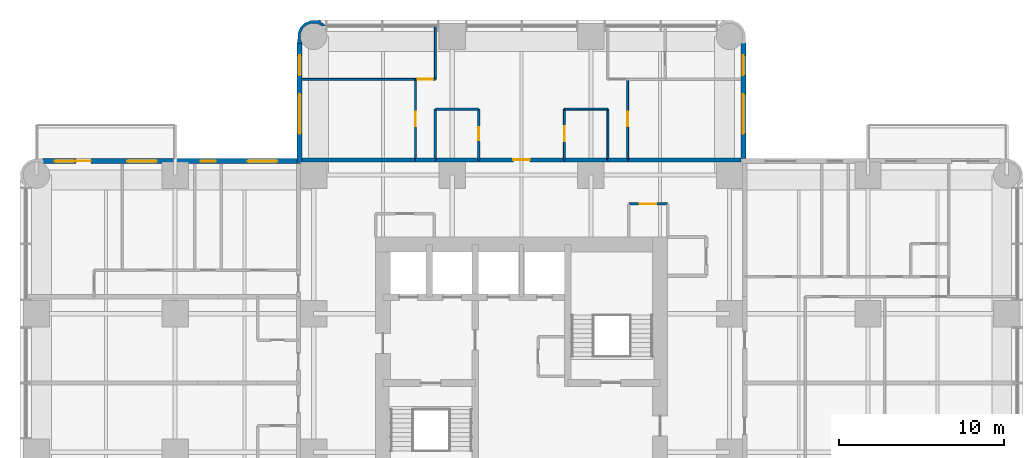
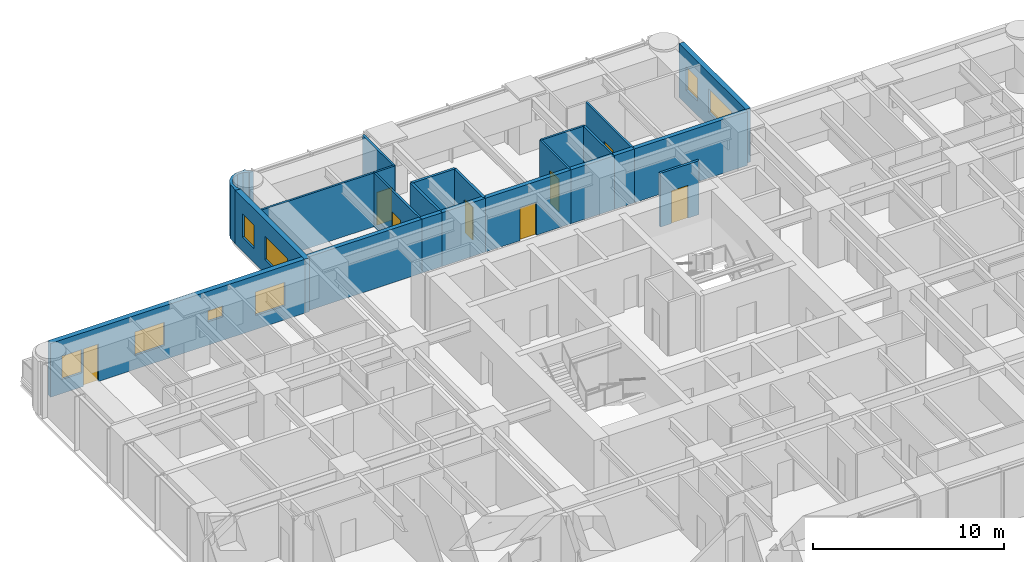
# One storey, part 11 of 14: 23 walls, 8 doors, 8 windows, 16 openings.
"""IFC4 building model written with IfcOpenShell, lengths in metres."""

from ifc_helpers import new_model, si_unit, direction, frame, frame_2d, origin, place, context, subcontext, project, spatial, polyline, rectangle, outline, extrude, material, layer, layer_set, type_object, element, fill, save


model = new_model("IFC4")

# Units and contexts
model_context = context("Model", 3, precision=1e-05, world=origin(), true_north=direction((0.0, 1.0)))
body_context = subcontext(model_context, "Body", "Model", "MODEL_VIEW")
ifc_project = project(units=[si_unit("LENGTHUNIT", "METRE"), si_unit("AREAUNIT", "SQUARE_METRE"), si_unit("VOLUMEUNIT", "CUBIC_METRE"), si_unit("PLANEANGLEUNIT", "RADIAN"), si_unit("MASSUNIT", "GRAM", prefix="KILO")], contexts=[model_context])

# Site, building, storey
site_placement = place(None, origin())
site = spatial("IfcSite", under=ifc_project, at=site_placement, CompositionType="ELEMENT")
building_placement = place(site_placement, origin())
building = spatial("IfcBuilding", under=site, at=building_placement, Name="Torre Alcanfor", CompositionType="ELEMENT")
storey_placement = place(building_placement, frame((0.0, 0.0, 141.300048828125)))
storey = spatial("IfcBuildingStorey", under=building, at=storey_placement, Name="L36", CompositionType="ELEMENT", Elevation=141.300048828125)

# Wall, opening, door
ifc_material_1 = material(Name="Concrete block masonry, hollow blocks NMX-C-404 9 MPa", Category="masonry")
ifc_layer_1 = layer(ifc_material_1, 0.25)
ifc_layer_set_1 = layer_set([ifc_layer_1], Name="Apartment entrance wall 250 EI 60")
wall_type_1 = type_object("IfcWallType", Name="Apartment entrance wall 250 EI 60", PredefinedType="PARTITIONING", material=ifc_layer_set_1)
wall_1_placement = place(storey_placement, frame((26.800048828125, 42.925048828125, 0.0), z_axis=(0.0, 0.0, 1.0), x_axis=(1.0, 0.0, 0.0)))
wall_1 = element("IfcWall", 1, at=wall_1_placement, inside=storey, type_object=wall_type_1, Name="Partition L36-CORR / L36-NX-ZAG", PredefinedType="PARTITIONING", context=body_context, shape_type="SweptSolid", body=[
    extrude(rectangle(XDim=5.199951171875, YDim=0.25, at=frame_2d((2.60009765625, 0.0))), origin(), (0.0, 0.0, 1.0), 3.449951171875),
])
opening_1_placement = place(wall_1_placement, frame((2.10009765625, 0.0, 0.0)))
opening_1 = element("IfcOpeningElement", 2, at=opening_1_placement, cuts=wall_1, Name="Opening D-A1", PredefinedType="OPENING", context=body_context, shape_type="SweptSolid", body=[
    extrude(rectangle(XDim=1.0, YDim=2.10009765625, at=frame_2d((0.5, 1.050048828125))), frame((0.0, 0.135009765625, 0.0), z_axis=(0.0, -1.0, 0.0), x_axis=(1.0, 0.0, 0.0)), (0.0, 0.0, 1.0), 0.27001953125),
])
ifc_material_2 = material(Name="Galvanised steel sheet ASTM A653", Category="steel")
door_type_1 = type_object("IfcDoorType", Name="Apartment entrance door FD60 1000x2100", OperationType="SINGLE_SWING_LEFT", PredefinedType="DOOR", material=ifc_material_2)
door_1_placement = place(opening_1_placement, origin())
door_1 = element("IfcDoor", 3, at=door_1_placement, inside=storey, type_object=door_type_1, Name="Apartment entrance L36-NX", OperationType="SINGLE_SWING_LEFT", OverallHeight=2.10009765625, OverallWidth=1.0, PredefinedType="DOOR", context=body_context, shape_type="SweptSolid", body=[
    extrude(rectangle(XDim=1.0, YDim=2.10009765625, at=frame_2d((0.5, 1.050048828125))), frame((0.0, 0.02490234375, 0.0), z_axis=(0.0, -1.0, 0.0), x_axis=(1.0, 0.0, 0.0)), (0.0, 0.0, 1.0), 0.050048828125),
])
fill(opening_1, door_1)

# Walls
wall_2_placement = place(storey_placement, frame((24.1708984375, 42.925048828125, 0.0), z_axis=(0.0, 0.0, 1.0), x_axis=(1.0, 0.0, 0.0)))
element("IfcWall", 4, at=wall_2_placement, inside=storey, type_object=wall_type_1, Name="Partition L36-CORR / L36-NX-BATH2", PredefinedType="PARTITIONING", context=body_context, shape_type="SweptSolid", body=[
    extrude(rectangle(XDim=2.629150390625, YDim=0.25, at=frame_2d((1.314453125, 0.0))), origin(), (0.0, 0.0, 1.0), 3.449951171875),
])
wall_3_placement = place(storey_placement, frame((32.0, 42.925048828125, 0.0), z_axis=(0.0, 0.0, 1.0), x_axis=(1.0, 0.0, 0.0)))
element("IfcWall", 5, at=wall_3_placement, inside=storey, type_object=wall_type_1, Name="Partition L36-CORR / L36-NX-KITCHEN", PredefinedType="PARTITIONING", context=body_context, shape_type="SweptSolid", body=[
    extrude(rectangle(XDim=2.62890625, YDim=0.25, at=frame_2d((1.314453125, 0.0))), origin(), (0.0, 0.0, 1.0), 3.449951171875),
])
wall_4_placement = place(storey_placement, frame((22.970947265625, 42.925048828125, 0.0), z_axis=(0.0, 0.0, 1.0), x_axis=(1.0, 0.0, 0.0)))
element("IfcWall", 6, at=wall_4_placement, inside=storey, type_object=wall_type_1, Name="Partition L36-CORR / L36-NX-LIVING", PredefinedType="PARTITIONING", context=body_context, shape_type="SweptSolid", body=[
    extrude(rectangle(XDim=1.199951171875, YDim=0.25, at=frame_2d((0.60009765625, 0.0))), origin(), (0.0, 0.0, 1.0), 3.449951171875),
])
wall_5_placement = place(storey_placement, frame((34.62890625, 42.925048828125, 0.0), z_axis=(0.0, 0.0, 1.0), x_axis=(1.0, 0.0, 0.0)))
element("IfcWall", 7, at=wall_5_placement, inside=storey, type_object=wall_type_1, Name="Partition L36-CORR / L36-NX-LIVING", PredefinedType="PARTITIONING", context=body_context, shape_type="SweptSolid", body=[
    extrude(rectangle(XDim=1.2001953125, YDim=0.25, at=frame_2d((0.60009765625, 0.0))), origin(), (0.0, 0.0, 1.0), 3.449951171875),
])
for number, where, z_axis, x_axis, name in (
    (8, (16.10009765625, 42.925048828125, 0.0), (0.0, 0.0, 1.0), (1.0, 0.0, 0.0), "Partition L36-CORR / L36-NX-BED2"),
    (9, (35.8291015625, 42.925048828125, 0.0), (0.0, 0.0, 1.0), (1.0, 0.0, 0.0), "Partition L36-CORR / L36-NX-BED3"),
):
    element("IfcWall", number, at=place(storey_placement, frame(where, z_axis=z_axis, x_axis=x_axis)), inside=storey, type_object=wall_type_1, Name=name, PredefinedType="PARTITIONING", context=body_context, shape_type="SweptSolid", body=[
        extrude(rectangle(XDim=6.870849609375, YDim=0.25, at=frame_2d((3.435546875, 0.0))), origin(), (0.0, 0.0, 1.0), 3.449951171875),
    ])

# Wall, opening, door
ifc_material_3 = material(Name="Gypsum board on steel studs", Category="steel")
ifc_layer_2 = layer(ifc_material_3, 0.1201171875)
ifc_layer_set_2 = layer_set([ifc_layer_2], Name="Apartment partition 120")
wall_type_2 = type_object("IfcWallType", Name="Apartment partition 120", PredefinedType="PARTITIONING", material=ifc_layer_set_2)
wall_6_placement = place(storey_placement, frame((32.0, 42.925048828125, 0.0), z_axis=(0.0, 0.0, 1.0), x_axis=(0.0, 1.0, 0.0)))
wall_6 = element("IfcWall", 10, at=wall_6_placement, inside=storey, type_object=wall_type_2, Name="Partition L36-NX-ZAG / L36-NX-KITCHEN", PredefinedType="PARTITIONING", context=body_context, shape_type="SweptSolid", body=[
    extrude(rectangle(XDim=3.074951171875, YDim=0.1201171875, at=frame_2d((1.53759765625, 0.0))), origin(), (0.0, 0.0, 1.0), 3.449951171875),
])
opening_2_placement = place(wall_6_placement, frame((1.125, 0.0, 0.0)))
opening_2 = element("IfcOpeningElement", 11, at=opening_2_placement, cuts=wall_6, Name="Opening D-R1", PredefinedType="OPENING", context=body_context, shape_type="SweptSolid", body=[
    extrude(rectangle(XDim=0.89990234375, YDim=2.10009765625, at=frame_2d((0.449951171875, 1.050048828125))), frame((0.0, 0.070068359375, 0.0), z_axis=(0.0, -1.0, 0.0), x_axis=(1.0, 0.0, 0.0)), (0.0, 0.0, 1.0), 0.14013671875),
])
ifc_material_4 = material(Name="Timber", Category="wood")
door_type_2 = type_object("IfcDoorType", Name="Internal door 900x2100", OperationType="SINGLE_SWING_LEFT", PredefinedType="DOOR", material=ifc_material_4)
door_2_placement = place(opening_2_placement, frame((0.89990234375, 0.0, 0.0), z_axis=(0.0, 0.0, 1.0), x_axis=(-1.0, 0.0, 0.0)))
door_2 = element("IfcDoor", 12, at=door_2_placement, inside=storey, type_object=door_type_2, Name="Door L36-NX kitchen", OperationType="SINGLE_SWING_LEFT", OverallHeight=2.10009765625, OverallWidth=0.89990234375, PredefinedType="DOOR", context=body_context, shape_type="SweptSolid", body=[
    extrude(rectangle(XDim=0.89990234375, YDim=2.10009765625, at=frame_2d((0.449951171875, 1.050048828125))), frame((0.0, 0.025146484375, 0.0), z_axis=(0.0, -1.0, 0.0), x_axis=(1.0, 0.0, 0.0)), (0.0, 0.0, 1.0), 0.050048828125),
])
fill(opening_2, door_2)

# Walls
wall_7_placement = place(storey_placement, frame((34.62890625, 42.925048828125, 0.0), z_axis=(0.0, 0.0, 1.0), x_axis=(0.0, 1.0, 0.0)))
element("IfcWall", 13, at=wall_7_placement, inside=storey, type_object=wall_type_2, Name="Partition L36-NX-KITCHEN / L36-NX-LIVING", PredefinedType="PARTITIONING", context=body_context, shape_type="SweptSolid", body=[
    extrude(rectangle(XDim=3.074951171875, YDim=0.1201171875, at=frame_2d((1.53759765625, 0.0))), origin(), (0.0, 0.0, 1.0), 3.449951171875),
])
wall_8_placement = place(storey_placement, frame((34.62890625, 46.0, 0.0), z_axis=(0.0, 0.0, 1.0), x_axis=(-1.0, 0.0, 0.0)))
element("IfcWall", 14, at=wall_8_placement, inside=storey, type_object=wall_type_2, Name="Partition L36-NX-KITCHEN / L36-NX-LIVING", PredefinedType="PARTITIONING", context=body_context, shape_type="SweptSolid", body=[
    extrude(rectangle(XDim=2.62890625, YDim=0.1201171875, at=frame_2d((1.314453125, 0.0))), origin(), (0.0, 0.0, 1.0), 3.449951171875),
])

# Wall, opening, door
wall_9_placement = place(storey_placement, frame((22.970947265625, 42.925048828125, 0.0), z_axis=(0.0, 0.0, 1.0), x_axis=(0.0, 1.0, 0.0)))
wall_9 = element("IfcWall", 15, at=wall_9_placement, inside=storey, type_object=wall_type_2, Name="Partition L36-NX-LIVING / L36-NX-BED2", PredefinedType="PARTITIONING", context=body_context, shape_type="SweptSolid", body=[
    extrude(rectangle(XDim=4.875, YDim=0.1201171875, at=frame_2d((2.4375, 0.0))), origin(), (0.0, 0.0, 1.0), 3.449951171875),
])
opening_3_placement = place(wall_9_placement, frame((2.02490234375, 0.0, 0.0)))
opening_3 = element("IfcOpeningElement", 16, at=opening_3_placement, cuts=wall_9, Name="Opening D-R1", PredefinedType="OPENING", context=body_context, shape_type="SweptSolid", body=[
    extrude(rectangle(XDim=0.89990234375, YDim=2.10009765625, at=frame_2d((0.449951171875, 1.050048828125))), frame((0.0, 0.070068359375, 0.0), z_axis=(0.0, -1.0, 0.0), x_axis=(1.0, 0.0, 0.0)), (0.0, 0.0, 1.0), 0.14013671875),
])
door_3_placement = place(opening_3_placement, origin())
door_3 = element("IfcDoor", 17, at=door_3_placement, inside=storey, type_object=door_type_2, Name="Door L36-NX bed2", OperationType="SINGLE_SWING_RIGHT", OverallHeight=2.10009765625, OverallWidth=0.89990234375, PredefinedType="DOOR", context=body_context, shape_type="SweptSolid", body=[
    extrude(rectangle(XDim=0.89990234375, YDim=2.10009765625, at=frame_2d((0.449951171875, 1.050048828125))), frame((0.0, 0.02490234375, 0.0), z_axis=(0.0, -1.0, 0.0), x_axis=(1.0, 0.0, 0.0)), (0.0, 0.0, 1.0), 0.050048828125),
])
fill(opening_3, door_3)

wall_10_placement = place(storey_placement, frame((22.970947265625, 47.800048828125, 0.0), z_axis=(0.0, 0.0, 1.0), x_axis=(1.0, 0.0, 0.0)))
wall_10 = element("IfcWall", 18, at=wall_10_placement, inside=storey, type_object=wall_type_2, Name="Partition L36-NX-LIVING / L36-NX-MASTER", PredefinedType="PARTITIONING", context=body_context, shape_type="SweptSolid", body=[
    extrude(rectangle(XDim=1.199951171875, YDim=0.1201171875, at=frame_2d((0.60009765625, 0.0))), origin(), (0.0, 0.0, 1.0), 3.449951171875),
])
opening_4_placement = place(wall_10_placement, frame((0.14892578125, 0.0, 0.0)))
opening_4 = element("IfcOpeningElement", 19, at=opening_4_placement, cuts=wall_10, Name="Opening D-R1", PredefinedType="OPENING", context=body_context, shape_type="SweptSolid", body=[
    extrude(rectangle(XDim=0.89990234375, YDim=2.10009765625, at=frame_2d((0.449951171875, 1.050048828125))), frame((0.0, 0.070068359375, 0.0), z_axis=(0.0, -1.0, 0.0), x_axis=(1.0, 0.0, 0.0)), (0.0, 0.0, 1.0), 0.14013671875),
])
door_4_placement = place(opening_4_placement, origin())
door_4 = element("IfcDoor", 20, at=door_4_placement, inside=storey, type_object=door_type_2, Name="Door L36-NX master", OperationType="SINGLE_SWING_RIGHT", OverallHeight=2.10009765625, OverallWidth=0.89990234375, PredefinedType="DOOR", context=body_context, shape_type="SweptSolid", body=[
    extrude(rectangle(XDim=0.89990234375, YDim=2.10009765625, at=frame_2d((0.449951171875, 1.050048828125))), frame((0.0, 0.02490234375, 0.0), z_axis=(0.0, -1.0, 0.0), x_axis=(1.0, 0.0, 0.0)), (0.0, 0.0, 1.0), 0.050048828125),
])
fill(opening_4, door_4)

# Wall
wall_11_placement = place(storey_placement, frame((24.1708984375, 47.800048828125, 0.0), z_axis=(0.0, 0.0, 1.0), x_axis=(0.0, 1.0, 0.0)))
element("IfcWall", 21, at=wall_11_placement, inside=storey, type_object=wall_type_2, Name="Partition L36-NX-LIVING / L36-NX-MASTER", PredefinedType="PARTITIONING", context=body_context, shape_type="SweptSolid", body=[
    extrude(rectangle(XDim=3.25, YDim=0.1201171875, at=frame_2d((1.625, 0.0))), origin(), (0.0, 0.0, 1.0), 3.449951171875),
])

# Wall, opening, door
wall_12_placement = place(storey_placement, frame((35.8291015625, 47.800048828125, 0.0), z_axis=(0.0, 0.0, 1.0), x_axis=(0.0, -1.0, 0.0)))
wall_12 = element("IfcWall", 22, at=wall_12_placement, inside=storey, type_object=wall_type_2, Name="Partition L36-NX-LIVING / L36-NX-BED3", PredefinedType="PARTITIONING", context=body_context, shape_type="SweptSolid", body=[
    extrude(rectangle(XDim=4.875, YDim=0.1201171875, at=frame_2d((2.4375, 0.0))), origin(), (0.0, 0.0, 1.0), 3.449951171875),
])
opening_5_placement = place(wall_12_placement, frame((1.949951171875, 0.0, 0.0)))
opening_5 = element("IfcOpeningElement", 23, at=opening_5_placement, cuts=wall_12, Name="Opening D-R1", PredefinedType="OPENING", context=body_context, shape_type="SweptSolid", body=[
    extrude(rectangle(XDim=0.89990234375, YDim=2.10009765625, at=frame_2d((0.449951171875, 1.050048828125))), frame((0.0, 0.070068359375, 0.0), z_axis=(0.0, -1.0, 0.0), x_axis=(1.0, 0.0, 0.0)), (0.0, 0.0, 1.0), 0.14013671875),
])
door_5_placement = place(opening_5_placement, origin())
door_5 = element("IfcDoor", 24, at=door_5_placement, inside=storey, type_object=door_type_2, Name="Door L36-NX bed3", OperationType="SINGLE_SWING_LEFT", OverallHeight=2.10009765625, OverallWidth=0.89990234375, PredefinedType="DOOR", context=body_context, shape_type="SweptSolid", body=[
    extrude(rectangle(XDim=0.89990234375, YDim=2.10009765625, at=frame_2d((0.449951171875, 1.050048828125))), frame((0.0, 0.02490234375, 0.0), z_axis=(0.0, -1.0, 0.0), x_axis=(1.0, 0.0, 0.0)), (0.0, 0.0, 1.0), 0.050048828125),
])
fill(opening_5, door_5)

# Wall
wall_13_placement = place(storey_placement, frame((22.970947265625, 47.800048828125, 0.0), z_axis=(0.0, 0.0, 1.0), x_axis=(-1.0, 0.0, 0.0)))
element("IfcWall", 25, at=wall_13_placement, inside=storey, type_object=wall_type_2, Name="Partition L36-NX-BED2 / L36-NX-MASTER", PredefinedType="PARTITIONING", context=body_context, shape_type="SweptSolid", body=[
    extrude(rectangle(XDim=6.870849609375, YDim=0.1201171875, at=frame_2d((3.435546875, 0.0))), origin(), (0.0, 0.0, 1.0), 3.449951171875),
])

# Wall, openings, door, windows
ifc_material_5 = material(Name="Limestone cladding", Category="masonry")
ifc_layer_3 = layer(ifc_material_5, 0.0400390625, Name="Facing")
ifc_material_6 = material(Name="Ventilated air cavity")
ifc_layer_4 = layer(ifc_material_6, 0.02001953125, ventilated=True, Name="Ventilated joint")
ifc_material_7 = material(Name="Mineral wool insulation", Category="insulation")
ifc_layer_5 = layer(ifc_material_7, 0.10009765625, Name="Insulation")
ifc_material_8 = material(Name="Concrete f'c 35 MPa", Category="concrete")
ifc_layer_6 = layer(ifc_material_8, 0.139892578125, Name="Backing")
ifc_layer_set_3 = layer_set([ifc_layer_3, ifc_layer_4, ifc_layer_5, ifc_layer_6], Name="External wall stone-clad 300")
wall_type_3 = type_object("IfcWallType", Name="External wall stone-clad 300", PredefinedType="SOLIDWALL", material=ifc_layer_set_3)
wall_14_placement = place(storey_placement, frame((15.800048828125, 42.85009765625, 0.0), z_axis=(0.0, 0.0, 1.0), x_axis=(-1.0, 0.0, 0.0)))
wall_14 = element("IfcWall", 26, at=wall_14_placement, inside=storey, type_object=wall_type_3, Name="External wall L36 1", PredefinedType="SOLIDWALL", context=body_context, shape_type="SweptSolid", body=[
    extrude(rectangle(XDim=15.400146484375, YDim=0.300048828125, at=frame_2d((7.7001953125, 0.0))), origin(), (0.0, 0.0, 1.0), 3.449951171875),
])
opening_6_placement = place(wall_14_placement, frame((1.199951171875, 0.0, 0.89990234375)))
opening_6 = element("IfcOpeningElement", 27, at=opening_6_placement, cuts=wall_14, Name="Opening W2", PredefinedType="OPENING", context=body_context, shape_type="SweptSolid", body=[
    extrude(rectangle(XDim=1.800048828125, YDim=1.5, at=frame_2d((0.89990234375, 0.75))), frame((0.0, 0.159912109375, 0.0), z_axis=(0.0, -1.0, 0.0), x_axis=(1.0, 0.0, 0.0)), (0.0, 0.0, 1.0), 0.320068359375),
])
opening_7_placement = place(wall_14_placement, frame((4.949951171875, 0.0, 1.5)))
opening_7 = element("IfcOpeningElement", 28, at=opening_7_placement, cuts=wall_14, Name="Opening W3", PredefinedType="OPENING", context=body_context, shape_type="SweptSolid", body=[
    extrude(rectangle(XDim=0.89990234375, YDim=0.699951171875, at=frame_2d((0.449951171875, 0.35009765625))), frame((0.0, 0.159912109375, 0.0), z_axis=(0.0, -1.0, 0.0), x_axis=(1.0, 0.0, 0.0)), (0.0, 0.0, 1.0), 0.320068359375),
])
opening_8_placement = place(wall_14_placement, frame((8.5, 0.0, 0.89990234375)))
opening_8 = element("IfcOpeningElement", 29, at=opening_8_placement, cuts=wall_14, Name="Opening W2", PredefinedType="OPENING", context=body_context, shape_type="SweptSolid", body=[
    extrude(rectangle(XDim=1.800048828125, YDim=1.5, at=frame_2d((0.89990234375, 0.75))), frame((0.0, 0.159912109375, 0.0), z_axis=(0.0, -1.0, 0.0), x_axis=(1.0, 0.0, 0.0)), (0.0, 0.0, 1.0), 0.320068359375),
])
opening_9_placement = place(wall_14_placement, frame((12.5, 0.0, 0.0)))
opening_9 = element("IfcOpeningElement", 30, at=opening_9_placement, cuts=wall_14, Name="Opening D-B1", PredefinedType="OPENING", context=body_context, shape_type="SweptSolid", body=[
    extrude(rectangle(XDim=0.89990234375, YDim=2.39990234375, at=frame_2d((0.449951171875, 1.199951171875))), frame((0.0, 0.159912109375, 0.0), z_axis=(0.0, -1.0, 0.0), x_axis=(1.0, 0.0, 0.0)), (0.0, 0.0, 1.0), 0.320068359375),
])
opening_10_placement = place(wall_14_placement, frame((13.5, 0.0, 0.89990234375)))
opening_10 = element("IfcOpeningElement", 31, at=opening_10_placement, cuts=wall_14, Name="Opening W4", PredefinedType="OPENING", context=body_context, shape_type="SweptSolid", body=[
    extrude(rectangle(XDim=1.199951171875, YDim=1.5, at=frame_2d((0.60009765625, 0.75))), frame((0.0, 0.159912109375, 0.0), z_axis=(0.0, -1.0, 0.0), x_axis=(1.0, 0.0, 0.0)), (0.0, 0.0, 1.0), 0.320068359375),
])
ifc_material_9 = material(Name="Aluminium and glass", Category="aluminium")
door_type_3 = type_object("IfcDoorType", Name="Balcony door glazed 900x2400", OperationType="SINGLE_SWING_LEFT", PredefinedType="DOOR", material=ifc_material_9)
door_6_placement = place(opening_9_placement, origin())
door_6 = element("IfcDoor", 32, at=door_6_placement, inside=storey, type_object=door_type_3, Name="Balcony door L36-W2", OperationType="SINGLE_SWING_LEFT", OverallHeight=2.39990234375, OverallWidth=0.89990234375, PredefinedType="DOOR", context=body_context, shape_type="SweptSolid", body=[
    extrude(rectangle(XDim=0.89990234375, YDim=2.39990234375, at=frame_2d((0.449951171875, 1.199951171875))), frame((0.0, 0.02490234375, 0.0), z_axis=(0.0, -1.0, 0.0), x_axis=(1.0, 0.0, 0.0)), (0.0, 0.0, 1.0), 0.050048828125),
])
fill(opening_9, door_6)
ifc_material_10 = material(Name="Aluminium frame with clear double glazing", Category="aluminium")
window_type_1 = type_object("IfcWindowType", Name="Window bathroom 900x700", PartitioningType="SINGLE_PANEL", PredefinedType="WINDOW", material=ifc_material_10)
window_1_placement = place(opening_7_placement, origin())
window_1 = element("IfcWindow", 33, at=window_1_placement, inside=storey, type_object=window_type_1, Name="Window W3 L36-W2", OverallHeight=0.699951171875, OverallWidth=0.89990234375, PartitioningType="SINGLE_PANEL", PredefinedType="WINDOW", context=body_context, shape_type="SweptSolid", body=[
    extrude(rectangle(XDim=0.89990234375, YDim=0.699951171875, at=frame_2d((0.449951171875, 0.35009765625))), frame((0.0, 0.030029296875, 0.0), z_axis=(0.0, -1.0, 0.0), x_axis=(1.0, 0.0, 0.0)), (0.0, 0.0, 1.0), 0.06005859375),
])
fill(opening_7, window_1)
ifc_material_11 = material(Name="Aluminium frame with clear double glazing", Category="aluminium")
window_type_2 = type_object("IfcWindowType", Name="Window bedroom 1200x1500", PartitioningType="SINGLE_PANEL", PredefinedType="WINDOW", material=ifc_material_11)
window_2_placement = place(opening_10_placement, origin())
window_2 = element("IfcWindow", 34, at=window_2_placement, inside=storey, type_object=window_type_2, Name="Window W4 L36-W2", OverallHeight=1.5, OverallWidth=1.199951171875, PartitioningType="SINGLE_PANEL", PredefinedType="WINDOW", context=body_context, shape_type="SweptSolid", body=[
    extrude(rectangle(XDim=1.199951171875, YDim=1.5, at=frame_2d((0.60009765625, 0.75))), frame((0.0, 0.030029296875, 0.0), z_axis=(0.0, -1.0, 0.0), x_axis=(1.0, 0.0, 0.0)), (0.0, 0.0, 1.0), 0.06005859375),
])
fill(opening_10, window_2)
ifc_material_12 = material(Name="Aluminium frame with clear double glazing", Category="aluminium")
window_type_3 = type_object("IfcWindowType", Name="Window bedroom 1800x1500", PartitioningType="SINGLE_PANEL", PredefinedType="WINDOW", material=ifc_material_12)
window_3_placement = place(opening_6_placement, origin())
window_3 = element("IfcWindow", 35, at=window_3_placement, inside=storey, type_object=window_type_3, Name="Window W2 L36-W2", OverallHeight=1.5, OverallWidth=1.800048828125, PartitioningType="SINGLE_PANEL", PredefinedType="WINDOW", context=body_context, shape_type="SweptSolid", body=[
    extrude(rectangle(XDim=1.800048828125, YDim=1.5, at=frame_2d((0.89990234375, 0.75))), frame((0.0, 0.030029296875, 0.0), z_axis=(0.0, -1.0, 0.0), x_axis=(1.0, 0.0, 0.0)), (0.0, 0.0, 1.0), 0.06005859375),
])
fill(opening_6, window_3)
window_4_placement = place(opening_8_placement, origin())
window_4 = element("IfcWindow", 36, at=window_4_placement, inside=storey, type_object=window_type_3, Name="Window W2 L36-W2", OverallHeight=1.5, OverallWidth=1.800048828125, PartitioningType="SINGLE_PANEL", PredefinedType="WINDOW", context=body_context, shape_type="SweptSolid", body=[
    extrude(rectangle(XDim=1.800048828125, YDim=1.5, at=frame_2d((0.89990234375, 0.75))), frame((0.0, 0.030029296875, 0.0), z_axis=(0.0, -1.0, 0.0), x_axis=(1.0, 0.0, 0.0)), (0.0, 0.0, 1.0), 0.06005859375),
])
fill(opening_8, window_4)

# Wall, openings, windows
wall_15_placement = place(storey_placement, frame((42.85009765625, 43.0, 0.0), z_axis=(0.0, 0.0, 1.0), x_axis=(0.0, 1.0, 0.0)))
wall_15 = element("IfcWall", 37, at=wall_15_placement, inside=storey, type_object=wall_type_3, Name="External wall L36 10", PredefinedType="SOLIDWALL", context=body_context, shape_type="SweptSolid", body=[
    extrude(rectangle(XDim=7.0, YDim=0.300048828125, at=frame_2d((3.5, 0.0))), origin(), (0.0, 0.0, 1.0), 3.449951171875),
])
opening_11_placement = place(wall_15_placement, frame((1.5, 0.0, 0.89990234375)))
opening_11 = element("IfcOpeningElement", 38, at=opening_11_placement, cuts=wall_15, Name="Opening W1", PredefinedType="OPENING", context=body_context, shape_type="SweptSolid", body=[
    extrude(rectangle(XDim=2.39990234375, YDim=1.5, at=frame_2d((1.199951171875, 0.75))), frame((0.0, 0.159912109375, 0.0), z_axis=(0.0, -1.0, 0.0), x_axis=(1.0, 0.0, 0.0)), (0.0, 0.0, 1.0), 0.320068359375),
])
opening_12_placement = place(wall_15_placement, frame((5.050048828125, 0.0, 0.89990234375)))
opening_12 = element("IfcOpeningElement", 39, at=opening_12_placement, cuts=wall_15, Name="Opening W4", PredefinedType="OPENING", context=body_context, shape_type="SweptSolid", body=[
    extrude(rectangle(XDim=1.199951171875, YDim=1.5, at=frame_2d((0.60009765625, 0.75))), frame((0.0, 0.159912109375, 0.0), z_axis=(0.0, -1.0, 0.0), x_axis=(1.0, 0.0, 0.0)), (0.0, 0.0, 1.0), 0.320068359375),
])
window_5_placement = place(opening_12_placement, origin())
window_5 = element("IfcWindow", 40, at=window_5_placement, inside=storey, type_object=window_type_2, Name="Window W4 L36-N2", OverallHeight=1.5, OverallWidth=1.199951171875, PartitioningType="SINGLE_PANEL", PredefinedType="WINDOW", context=body_context, shape_type="SweptSolid", body=[
    extrude(rectangle(XDim=1.199951171875, YDim=1.5, at=frame_2d((0.60009765625, 0.75))), frame((0.0, 0.030029296875, 0.0), z_axis=(0.0, -1.0, 0.0), x_axis=(1.0, 0.0, 0.0)), (0.0, 0.0, 1.0), 0.06005859375),
])
fill(opening_12, window_5)
ifc_material_13 = material(Name="Aluminium frame with clear double glazing", Category="aluminium")
window_type_4 = type_object("IfcWindowType", Name="Window bedroom 2400x1500", PartitioningType="SINGLE_PANEL", PredefinedType="WINDOW", material=ifc_material_13)
window_6_placement = place(opening_11_placement, origin())
window_6 = element("IfcWindow", 41, at=window_6_placement, inside=storey, type_object=window_type_4, Name="Window W1 L36-N2", OverallHeight=1.5, OverallWidth=2.39990234375, PartitioningType="SINGLE_PANEL", PredefinedType="WINDOW", context=body_context, shape_type="SweptSolid", body=[
    extrude(rectangle(XDim=2.39990234375, YDim=1.5, at=frame_2d((1.199951171875, 0.75))), frame((0.0, 0.030029296875, 0.0), z_axis=(0.0, -1.0, 0.0), x_axis=(1.0, 0.0, 0.0)), (0.0, 0.0, 1.0), 0.06005859375),
])
fill(opening_11, window_6)

wall_16_placement = place(storey_placement, frame((15.949951171875, 50.0, 0.0), z_axis=(0.0, 0.0, 1.0), x_axis=(0.0, -1.0, 0.0)))
wall_16 = element("IfcWall", 42, at=wall_16_placement, inside=storey, type_object=wall_type_3, Name="External wall L36 12", PredefinedType="SOLIDWALL", context=body_context, shape_type="SweptSolid", body=[
    extrude(rectangle(XDim=7.300048828125, YDim=0.300048828125, at=frame_2d((3.64990234375, 0.0))), origin(), (0.0, 0.0, 1.0), 3.449951171875),
])
opening_13_placement = place(wall_16_placement, frame((3.10009765625, 0.0, 0.89990234375)))
opening_13 = element("IfcOpeningElement", 43, at=opening_13_placement, cuts=wall_16, Name="Opening W1", PredefinedType="OPENING", context=body_context, shape_type="SweptSolid", body=[
    extrude(rectangle(XDim=2.39990234375, YDim=1.5, at=frame_2d((1.199951171875, 0.75))), frame((0.0, 0.159912109375, 0.0), z_axis=(0.0, -1.0, 0.0), x_axis=(1.0, 0.0, 0.0)), (0.0, 0.0, 1.0), 0.320068359375),
])
opening_14_placement = place(wall_16_placement, frame((0.75, 0.0, 0.89990234375)))
opening_14 = element("IfcOpeningElement", 44, at=opening_14_placement, cuts=wall_16, Name="Opening W4", PredefinedType="OPENING", context=body_context, shape_type="SweptSolid", body=[
    extrude(rectangle(XDim=1.199951171875, YDim=1.5, at=frame_2d((0.60009765625, 0.75))), frame((0.0, 0.159912109375, 0.0), z_axis=(0.0, -1.0, 0.0), x_axis=(1.0, 0.0, 0.0)), (0.0, 0.0, 1.0), 0.320068359375),
])
window_7_placement = place(opening_14_placement, origin())
window_7 = element("IfcWindow", 45, at=window_7_placement, inside=storey, type_object=window_type_2, Name="Window W4 L36-N1", OverallHeight=1.5, OverallWidth=1.199951171875, PartitioningType="SINGLE_PANEL", PredefinedType="WINDOW", context=body_context, shape_type="SweptSolid", body=[
    extrude(rectangle(XDim=1.199951171875, YDim=1.5, at=frame_2d((0.60009765625, 0.75))), frame((0.0, 0.030029296875, 0.0), z_axis=(0.0, -1.0, 0.0), x_axis=(1.0, 0.0, 0.0)), (0.0, 0.0, 1.0), 0.06005859375),
])
fill(opening_14, window_7)
window_8_placement = place(opening_13_placement, origin())
window_8 = element("IfcWindow", 46, at=window_8_placement, inside=storey, type_object=window_type_4, Name="Window W1 L36-N1", OverallHeight=1.5, OverallWidth=2.39990234375, PartitioningType="SINGLE_PANEL", PredefinedType="WINDOW", context=body_context, shape_type="SweptSolid", body=[
    extrude(rectangle(XDim=2.39990234375, YDim=1.5, at=frame_2d((1.199951171875, 0.75))), frame((0.0, 0.030029296875, 0.0), z_axis=(0.0, -1.0, 0.0), x_axis=(1.0, 0.0, 0.0)), (0.0, 0.0, 1.0), 0.06005859375),
])
fill(opening_13, window_8)

# Wall, opening, door
ifc_material_14 = material(Name="Concrete block masonry, hollow blocks NMX-C-404 9 MPa", Category="masonry")
ifc_layer_7 = layer(ifc_material_14, 0.14990234375)
ifc_layer_set_4 = layer_set([ifc_layer_7], Name="Residents' room partition 150")
wall_type_4 = type_object("IfcWallType", Name="Residents' room partition 150", PredefinedType="PARTITIONING", material=ifc_layer_set_4)
wall_17_placement = place(storey_placement, frame((38.25, 40.25, 0.0), z_axis=(0.0, 0.0, 1.0), x_axis=(-1.0, 0.0, 0.0)))
wall_17 = element("IfcWall", 47, at=wall_17_placement, inside=storey, type_object=wall_type_4, Name="Partition L36-CORR / L36-G02", PredefinedType="PARTITIONING", context=body_context, shape_type="SweptSolid", body=[
    extrude(rectangle(XDim=2.35009765625, YDim=0.14990234375, at=frame_2d((1.175048828125, 0.0))), origin(), (0.0, 0.0, 1.0), 3.449951171875),
])
opening_15_placement = place(wall_17_placement, frame((0.675048828125, 0.0, 0.0)))
opening_15 = element("IfcOpeningElement", 48, at=opening_15_placement, cuts=wall_17, Name="Opening D-M1", PredefinedType="OPENING", context=body_context, shape_type="SweptSolid", body=[
    extrude(rectangle(XDim=1.0, YDim=2.10009765625, at=frame_2d((0.5, 1.050048828125))), frame((0.0, 0.0849609375, 0.0), z_axis=(0.0, -1.0, 0.0), x_axis=(1.0, 0.0, 0.0)), (0.0, 0.0, 1.0), 0.169921875),
])
ifc_material_15 = material(Name="Timber", Category="wood")
door_type_4 = type_object("IfcDoorType", Name="Residents' room door 1000x2100", OperationType="SINGLE_SWING_LEFT", PredefinedType="DOOR", material=ifc_material_15)
door_7_placement = place(opening_15_placement, origin())
door_7 = element("IfcDoor", 49, at=door_7_placement, inside=storey, type_object=door_type_4, Name="Door L36-G02 parcel room", OperationType="SINGLE_SWING_LEFT", OverallHeight=2.10009765625, OverallWidth=1.0, PredefinedType="DOOR", context=body_context, shape_type="SweptSolid", body=[
    extrude(rectangle(XDim=1.0, YDim=2.10009765625, at=frame_2d((0.5, 1.050048828125))), frame((0.0, 0.02490234375, 0.0), z_axis=(0.0, -1.0, 0.0), x_axis=(1.0, 0.0, 0.0)), (0.0, 0.0, 1.0), 0.050048828125),
])
fill(opening_15, door_7)

# Wall
ifc_layer_8 = layer(ifc_material_5, 0.0400390625, Name="Facing")
ifc_layer_9 = layer(ifc_material_6, 0.02001953125, ventilated=True, Name="Ventilated joint")
ifc_layer_10 = layer(ifc_material_7, 0.10009765625, Name="Insulation")
ifc_layer_11 = layer(ifc_material_8, 0.139892578125, Name="Backing")
ifc_layer_set_5 = layer_set([ifc_layer_8, ifc_layer_9, ifc_layer_10, ifc_layer_11], Name="Rounded corner pier stone-clad 300")
wall_type_5 = type_object("IfcWallType", Name="Rounded corner pier stone-clad 300", PredefinedType="SOLIDWALL", material=ifc_layer_set_5)
wall_18_placement = place(storey_placement, frame((17.448071802, 50.995317512, 0.0), z_axis=(0.0, 0.0, 1.0), x_axis=(-0.343276641956, 0.93923434088, 0.0)))
element("IfcWall", 50, at=wall_18_placement, inside=storey, type_object=wall_type_5, Name="Corner pier L36 20", PredefinedType="SOLIDWALL", context=body_context, shape_type="SweptSolid", body=[
    extrude(outline(polyline([(0.24108059829103723, 0.022959620234629247), (0.3334805428319213, 0.12357557552177408), (0.4651739844878831, 0.09415889406460926), (0.5320540980205655, 0.3930753034134802), (0.6306958479185591, 0.6629675932609465), (0.6144442310825087, 1.0445145490965344), (0.4535240125743382, 1.3908175635047577), (0.17229496211504458, 1.6490443416962495), (-0.0975973277324218, 1.7476860915942432), (-0.36910859501107685, 1.8895490248211664), (-0.5092558011112671, 1.6213097208797382), (-0.4906820751319597, 1.6145212911926206), (-0.47934485608116756, 1.6085581501360122), (-0.21131694537408713, 1.6200307736528514), (0.0879264176258649, 1.5106616286937335), (0.32264848080083985, 1.2951661291093102), (0.4569426595377669, 1.0061627997252323), (0.4702938084391308, 0.6878005781830546), (0.3609246634800129, 0.3885572151831026), (0.1454291638955897, 0.15383515200812764), (0.10816871297824923, 0.136520951282565), (0.030981753202503952, -0.0746691922599299), (0.24108059829103723, 0.022959620234629247)])), origin(), (0.0, 0.0, 1.0), 3.449951171875),
])

# Wall, opening, door
ifc_material_16 = material(Name="Cement board on steel studs", Category="steel")
ifc_layer_12 = layer(ifc_material_16, 0.14990234375)
ifc_layer_set_6 = layer_set([ifc_layer_12], Name="Wet area partition 150")
wall_type_6 = type_object("IfcWallType", Name="Wet area partition 150", PredefinedType="PARTITIONING", material=ifc_layer_set_6)
wall_19_placement = place(storey_placement, frame((26.800048828125, 46.0, 0.0), z_axis=(0.0, 0.0, 1.0), x_axis=(0.0, -1.0, 0.0)))
wall_19 = element("IfcWall", 51, at=wall_19_placement, inside=storey, type_object=wall_type_6, Name="Partition L36-NX-ZAG / L36-NX-BATH2", PredefinedType="PARTITIONING", context=body_context, shape_type="SweptSolid", body=[
    extrude(rectangle(XDim=3.074951171875, YDim=0.14990234375, at=frame_2d((1.53759765625, 0.0))), origin(), (0.0, 0.0, 1.0), 3.449951171875),
])
opening_16_placement = place(wall_19_placement, frame((1.10009765625, 0.0, 0.0)))
opening_16 = element("IfcOpeningElement", 52, at=opening_16_placement, cuts=wall_19, Name="Opening D-R2", PredefinedType="OPENING", context=body_context, shape_type="SweptSolid", body=[
    extrude(rectangle(XDim=0.800048828125, YDim=2.10009765625, at=frame_2d((0.39990234375, 1.050048828125))), frame((0.0, 0.0849609375, 0.0), z_axis=(0.0, -1.0, 0.0), x_axis=(1.0, 0.0, 0.0)), (0.0, 0.0, 1.0), 0.169921875),
])
ifc_material_17 = material(Name="Timber", Category="wood")
door_type_5 = type_object("IfcDoorType", Name="Bathroom door 800x2100", OperationType="SINGLE_SWING_LEFT", PredefinedType="DOOR", material=ifc_material_17)
door_8_placement = place(opening_16_placement, frame((0.800048828125, 0.0, 0.0), z_axis=(0.0, 0.0, 1.0), x_axis=(-1.0, 0.0, 0.0)))
door_8 = element("IfcDoor", 53, at=door_8_placement, inside=storey, type_object=door_type_5, Name="Door L36-NX bath2", OperationType="SINGLE_SWING_RIGHT", OverallHeight=2.10009765625, OverallWidth=0.800048828125, PredefinedType="DOOR", context=body_context, shape_type="SweptSolid", body=[
    extrude(rectangle(XDim=0.800048828125, YDim=2.10009765625, at=frame_2d((0.400146484375, 1.050048828125))), frame((0.0, 0.025146484375, 0.0), z_axis=(0.0, -1.0, 0.0), x_axis=(1.0, 0.0, 0.0)), (0.0, 0.0, 1.0), 0.050048828125),
])
fill(opening_16, door_8)

# Walls
wall_20_placement = place(storey_placement, frame((26.800048828125, 46.0, 0.0), z_axis=(0.0, 0.0, 1.0), x_axis=(-1.0, 0.0, 0.0)))
element("IfcWall", 54, at=wall_20_placement, inside=storey, type_object=wall_type_6, Name="Partition L36-NX-BATH2 / L36-NX-LIVING", PredefinedType="PARTITIONING", context=body_context, shape_type="SweptSolid", body=[
    extrude(rectangle(XDim=2.629150390625, YDim=0.14990234375, at=frame_2d((1.314453125, 0.0))), origin(), (0.0, 0.0, 1.0), 3.449951171875),
])
wall_21_placement = place(storey_placement, frame((24.1708984375, 46.0, 0.0), z_axis=(0.0, 0.0, 1.0), x_axis=(0.0, -1.0, 0.0)))
element("IfcWall", 55, at=wall_21_placement, inside=storey, type_object=wall_type_6, Name="Partition L36-NX-BATH2 / L36-NX-LIVING", PredefinedType="PARTITIONING", context=body_context, shape_type="SweptSolid", body=[
    extrude(rectangle(XDim=3.074951171875, YDim=0.14990234375, at=frame_2d((1.53759765625, 0.0))), origin(), (0.0, 0.0, 1.0), 3.449951171875),
])

save(model, "model.ifc")
